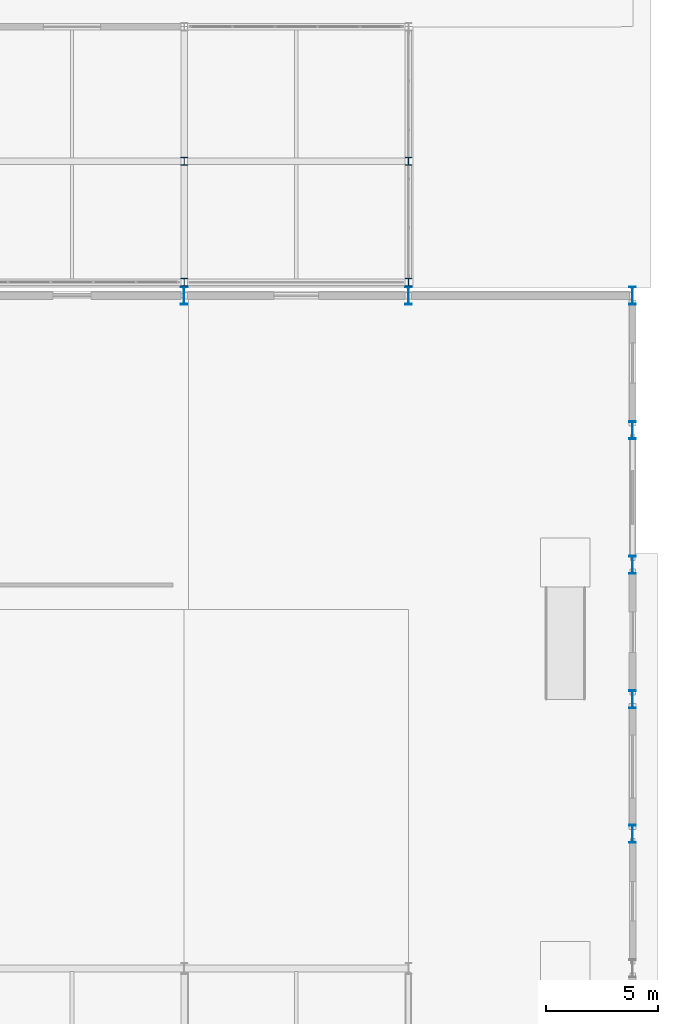
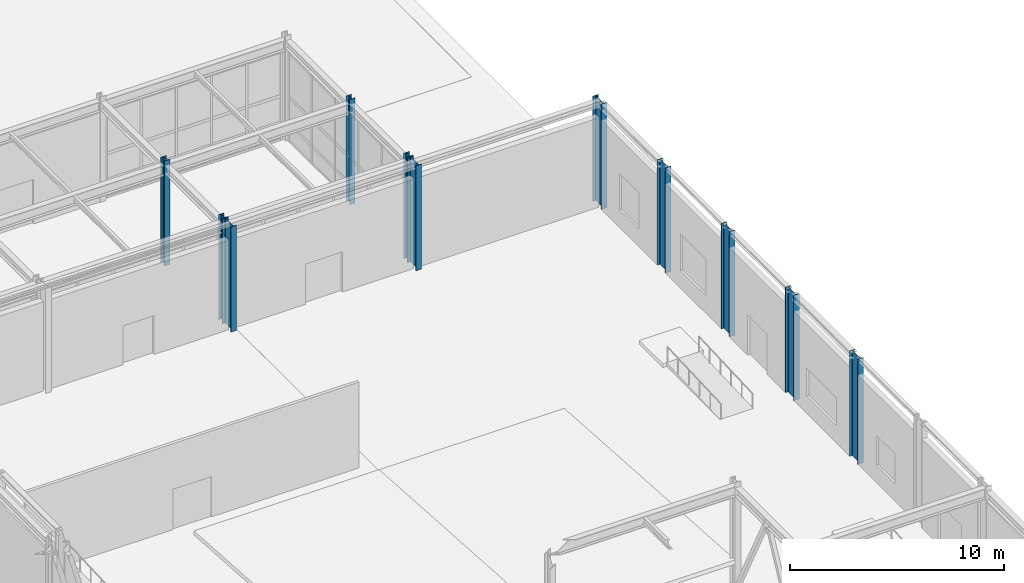
# One storey, part 18 of 146: 11 columns.
"""IFC4 building model written with IfcOpenShell, lengths in metres."""

from ifc_helpers import new_model, si_unit, direction, frame, origin, origin_2d, place, context, subcontext, project, spatial, i_section, extrude, material, material_profile, profile_set, type_object, element, save


model = new_model("IFC4")

# Units and contexts
model_context = context("Model", 3, precision=1e-05, world=origin(), true_north=direction((0.0, 1.0)))
body_context = subcontext(model_context, "Body", "Model", "MODEL_VIEW")
ifc_project = project(units=[si_unit("LENGTHUNIT", "METRE"), si_unit("AREAUNIT", "SQUARE_METRE"), si_unit("VOLUMEUNIT", "CUBIC_METRE"), si_unit("PLANEANGLEUNIT", "RADIAN"), si_unit("MASSUNIT", "GRAM", prefix="KILO")], contexts=[model_context])

# Site, building, storey
site_placement = place(None, origin())
site = spatial("IfcSite", under=ifc_project, at=site_placement, CompositionType="ELEMENT")
building_placement = place(site_placement, origin())
building = spatial("IfcBuilding", under=site, at=building_placement, Name="Kaldris Quays Convention Centre", CompositionType="ELEMENT")
storey_placement = place(building_placement, origin())
storey = spatial("IfcBuildingStorey", under=building, at=storey_placement, Name="L00", CompositionType="ELEMENT", Elevation=0.0)

# Columns
ifc_material = material(Name="Steel S355J2", Category="steel")
ifc_material_profile_1 = material_profile(ifc_material, i_section(OverallWidth=0.300048828125, OverallDepth=0.800048828125, WebThickness=0.017578125, FlangeThickness=0.032958984375, FilletRadius=0.030029296875, at=origin_2d()), Name="HEB 800")
ifc_profile_set_1 = profile_set([ifc_material_profile_1], Name="Steel S355J2")
column_type_1 = type_object("IfcColumnType", Name="STRUCTURAL COLUMN CL04", PredefinedType="COLUMN", material=ifc_profile_set_1)
for number, where, z_axis, x_axis, name in (
    (1, (184.0, 104.0, 0.0), (0.0, 0.0, 1.0), (1.0, 0.0, 0.0), "L00 V2 Column CL04 (184.00, 104.00)"),
    (2, (194.0, 104.0, 0.0), (0.0, 0.0, 1.0), (1.0, 0.0, 0.0), "L00 V2 Column CL04 (194.00, 104.00)"),
    (3, (204.0, 80.0, 0.0), (0.0, 0.0, 1.0), (1.0, 0.0, 0.0), "L00 V2 Column CL04 (204.00, 80.00)"),
    (4, (204.0, 86.0, 0.0), (0.0, 0.0, 1.0), (1.0, 0.0, 0.0), "L00 V2 Column CL04 (204.00, 86.00)"),
    (5, (204.0, 92.0, 0.0), (0.0, 0.0, 1.0), (1.0, 0.0, 0.0), "L00 V2 Column CL04 (204.00, 92.00)"),
    (6, (204.0, 98.0, 0.0), (0.0, 0.0, 1.0), (1.0, 0.0, 0.0), "L00 V2 Column CL04 (204.00, 98.00)"),
    (7, (204.0, 104.0, 0.0), (0.0, 0.0, 1.0), (1.0, 0.0, 0.0), "L00 V2 Column CL04 (204.00, 104.00)"),
):
    element("IfcColumn", number, at=place(storey_placement, frame(where, z_axis=z_axis, x_axis=x_axis)), inside=storey, type_object=column_type_1, Name=name, PredefinedType="COLUMN", context=body_context, shape_type="SweptSolid", body=[
        extrude(i_section(OverallWidth=0.300048828125, OverallDepth=0.800048828125, WebThickness=0.017578125, FlangeThickness=0.032958984375, FilletRadius=0.030029296875, at=origin_2d()), origin(), (0.0, 0.0, 1.0), 6.0),
    ])
ifc_material_profile_2 = material_profile(ifc_material, i_section(OverallWidth=0.300048828125, OverallDepth=0.360107421875, WebThickness=0.012451171875, FlangeThickness=0.0224609375, FilletRadius=0.027099609375, at=origin_2d()), Name="HEB 360")
ifc_profile_set_2 = profile_set([ifc_material_profile_2], Name="Steel S355J2")
column_type_2 = type_object("IfcColumnType", Name="STRUCTURAL COLUMN CL10", PredefinedType="COLUMN", material=ifc_profile_set_2)
for number, where, z_axis, x_axis, name in (
    (8, (184.0, 104.60009765625, 0.0), (0.0, 0.0, 1.0), (1.0, 0.0, 0.0), "L00 V4 Column CL10 (184.00, 104.60)"),
    (9, (184.0, 110.0, 0.0), (0.0, 0.0, 1.0), (1.0, 0.0, 0.0), "L00 V4 Column CL10 (184.00, 110.00)"),
    (10, (194.0, 104.60009765625, 0.0), (0.0, 0.0, 1.0), (1.0, 0.0, 0.0), "L00 V4 Column CL10 (194.00, 104.60)"),
    (11, (194.0, 110.0, 0.0), (0.0, 0.0, 1.0), (1.0, 0.0, 0.0), "L00 V4 Column CL10 (194.00, 110.00)"),
):
    element("IfcColumn", number, at=place(storey_placement, frame(where, z_axis=z_axis, x_axis=x_axis)), inside=storey, type_object=column_type_2, Name=name, PredefinedType="COLUMN", context=body_context, shape_type="SweptSolid", body=[
        extrude(i_section(OverallWidth=0.300048828125, OverallDepth=0.360107421875, WebThickness=0.012451171875, FlangeThickness=0.0224609375, FilletRadius=0.027099609375, at=origin_2d()), origin(), (0.0, 0.0, 1.0), 6.0),
    ])

save(model, "model.ifc")
